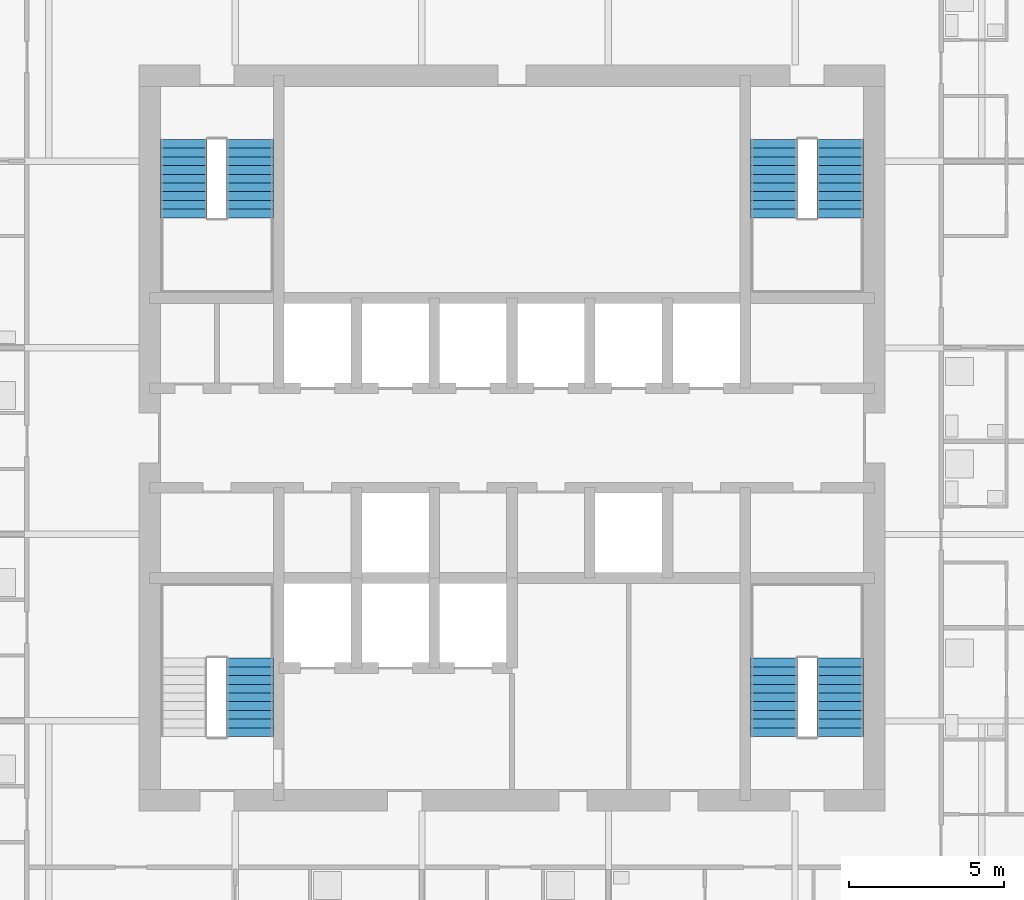
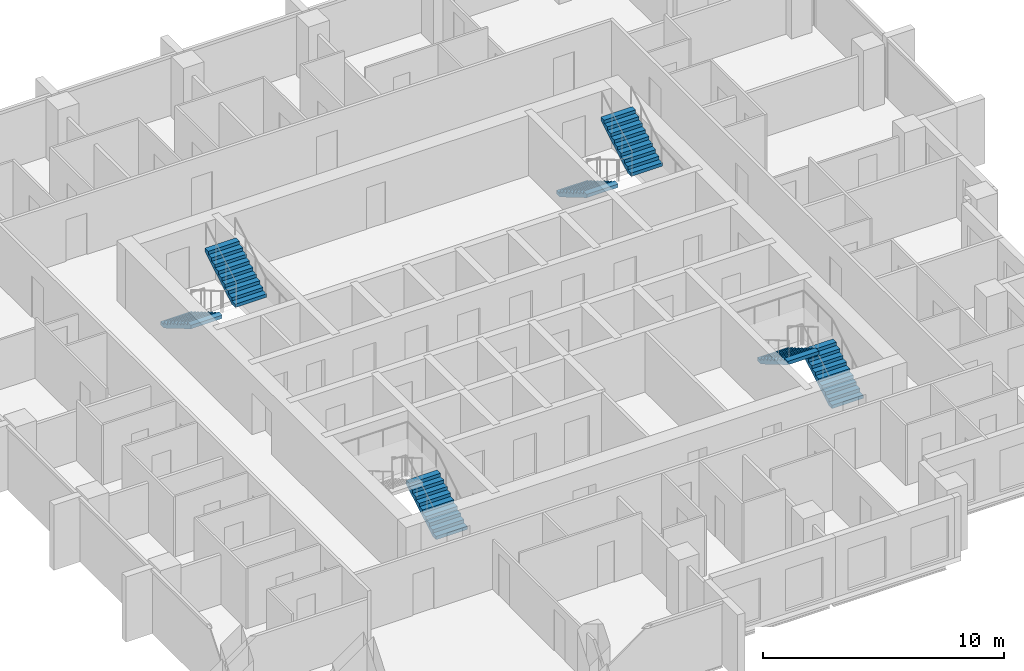
# One storey, part 9 of 11: 7 stair flights, 4 elements without a shape of their own.
"""IFC4 building model written with IfcOpenShell, lengths in metres."""

from ifc_helpers import new_model, si_unit, direction, frame, origin, place, context, subcontext, project, spatial, polyline, outline, extrude, material, type_object, element, aggregate, save


model = new_model("IFC4")

# Units and contexts
model_context = context("Model", 3, precision=1e-05, world=origin(), true_north=direction((0.0, 1.0)))
body_context = subcontext(model_context, "Body", "Model", "MODEL_VIEW")
ifc_project = project(units=[si_unit("LENGTHUNIT", "METRE"), si_unit("AREAUNIT", "SQUARE_METRE"), si_unit("VOLUMEUNIT", "CUBIC_METRE"), si_unit("PLANEANGLEUNIT", "RADIAN"), si_unit("MASSUNIT", "GRAM", prefix="KILO")], contexts=[model_context])

# Site, building, storey
site_placement = place(None, origin())
site = spatial("IfcSite", under=ifc_project, at=site_placement, CompositionType="ELEMENT")
building_placement = place(site_placement, origin())
building = spatial("IfcBuilding", under=site, at=building_placement, Name="Amberfall Residences", CompositionType="ELEMENT")
storey_placement = place(building_placement, frame((0.0, 0.0, 161.5)))
storey = spatial("IfcBuildingStorey", under=building, at=storey_placement, Name="L43", CompositionType="ELEMENT", Elevation=161.5)

# Stair, stair flight
ifc_material = material(Name="Concrete C40", Category="concrete")
stair_type = type_object("IfcStairType", Name="Exit stair 20 risers 165.0 mm", PredefinedType="HALF_TURN_STAIR", material=ifc_material)
stair_1_placement = place(storey_placement, origin())
stair_1 = element("IfcStair", 1, at=stair_1_placement, inside=storey, type_object=stair_type, Name="L43 Exit stair 1", PredefinedType="HALF_TURN_STAIR")
stair_flight_type = type_object("IfcStairFlightType", Name="Stair flight 10 risers 165.0 mm", PredefinedType="STRAIGHT", material=ifc_material)
stair_flight_1_placement = place(storey_placement, frame((66.074951171875, 35.89990234375, 0.0), z_axis=(0.0, 0.0, 1.0), x_axis=(0.0, 1.0, 0.0)))
stair_flight_1 = element("IfcStairFlight", 2, at=stair_flight_1_placement, type_object=stair_flight_type, Name="ST3 flight 1", NumberOfRisers=10, NumberOfTreads=9, PredefinedType="STRAIGHT", RiserHeight=0.165, TreadLength=0.28, context=body_context, shape_type="SweptSolid", body=[
    extrude(outline(polyline([(0.0, 0.0), (0.0, 0.1650390625), (0.280029296875, 0.1650390625), (0.280029296875, 0.330078125), (0.56005859375, 0.330078125), (0.56005859375, 0.4951171875), (0.840087890625, 0.4951171875), (0.840087890625, 0.659912109375), (1.1201171875, 0.659912109375), (1.1201171875, 0.824951171875), (1.39990234375, 0.824951171875), (1.39990234375, 0.989990234375), (1.679931640625, 0.989990234375), (1.679931640625, 1.155029296875), (1.9599609375, 1.155029296875), (1.9599609375, 1.320068359375), (2.239990234375, 1.320068359375), (2.239990234375, 1.485107421875), (2.52001953125, 1.485107421875), (2.52001953125, 1.64990234375), (2.52001953125, 1.31103515625), (0.295166015625, 0.0), (0.0, 0.0)])), frame((0.0, 0.75, 0.0), z_axis=(0.0, -1.0, 0.0), x_axis=(1.0, 0.0, 0.0)), (0.0, 0.0, 1.0), 1.5),
])
aggregate(stair_1, [stair_flight_1])

# Stair, stair flights
stair_2_placement = place(storey_placement, origin())
stair_2 = element("IfcStair", 3, at=stair_2_placement, inside=storey, type_object=stair_type, Name="L43 Exit stair 2", PredefinedType="HALF_TURN_STAIR")
stair_flight_2_placement = place(storey_placement, frame((85.050048828125, 35.89990234375, 0.0), z_axis=(0.0, 0.0, 1.0), x_axis=(0.0, 1.0, 0.0)))
stair_flight_2 = element("IfcStairFlight", 4, at=stair_flight_2_placement, type_object=stair_flight_type, Name="ST3 flight 1", NumberOfRisers=10, NumberOfTreads=9, PredefinedType="STRAIGHT", RiserHeight=0.165, TreadLength=0.28, context=body_context, shape_type="SweptSolid", body=[
    extrude(outline(polyline([(0.0, 0.0), (0.0, 0.1650390625), (0.280029296875, 0.1650390625), (0.280029296875, 0.330078125), (0.56005859375, 0.330078125), (0.56005859375, 0.4951171875), (0.840087890625, 0.4951171875), (0.840087890625, 0.659912109375), (1.1201171875, 0.659912109375), (1.1201171875, 0.824951171875), (1.39990234375, 0.824951171875), (1.39990234375, 0.989990234375), (1.679931640625, 0.989990234375), (1.679931640625, 1.155029296875), (1.9599609375, 1.155029296875), (1.9599609375, 1.320068359375), (2.239990234375, 1.320068359375), (2.239990234375, 1.485107421875), (2.52001953125, 1.485107421875), (2.52001953125, 1.64990234375), (2.52001953125, 1.31103515625), (0.295166015625, 0.0), (0.0, 0.0)])), frame((0.0, 0.75, 0.0), z_axis=(0.0, -1.0, 0.0), x_axis=(1.0, 0.0, 0.0)), (0.0, 0.0, 1.0), 1.5),
])
stair_flight_3_placement = place(storey_placement, frame((82.925048828125, 38.419921875, 1.64990234375), z_axis=(0.0, 0.0, 1.0), x_axis=(0.0, -1.0, 0.0)))
stair_flight_3 = element("IfcStairFlight", 5, at=stair_flight_3_placement, type_object=stair_flight_type, Name="ST3 flight 2", NumberOfRisers=10, NumberOfTreads=9, PredefinedType="STRAIGHT", RiserHeight=0.165, TreadLength=0.28, context=body_context, shape_type="SweptSolid", body=[
    extrude(outline(polyline([(0.0, 0.0), (0.0, 0.1650390625), (0.280029296875, 0.1650390625), (0.280029296875, 0.330078125), (0.56005859375, 0.330078125), (0.56005859375, 0.4951171875), (0.840087890625, 0.4951171875), (0.840087890625, 0.659912109375), (1.1201171875, 0.659912109375), (1.1201171875, 0.824951171875), (1.39990234375, 0.824951171875), (1.39990234375, 0.989990234375), (1.679931640625, 0.989990234375), (1.679931640625, 1.155029296875), (1.9599609375, 1.155029296875), (1.9599609375, 1.320068359375), (2.239990234375, 1.320068359375), (2.239990234375, 1.485107421875), (2.52001953125, 1.485107421875), (2.52001953125, 1.64990234375), (2.52001953125, 1.31103515625), (0.295166015625, 0.0), (0.0, 0.0)])), frame((0.0, 0.75, 0.0), z_axis=(0.0, -1.0, 0.0), x_axis=(1.0, 0.0, 0.0)), (0.0, 0.0, 1.0), 1.5),
])
aggregate(stair_2, [stair_flight_2, stair_flight_3])

stair_3_placement = place(storey_placement, origin())
stair_3 = element("IfcStair", 6, at=stair_3_placement, inside=storey, type_object=stair_type, Name="L43 Exit stair 3", PredefinedType="HALF_TURN_STAIR")
stair_flight_4_placement = place(storey_placement, frame((82.925048828125, 55.10009765625, 0.0), z_axis=(0.0, 0.0, 1.0), x_axis=(0.0, -1.0, 0.0)))
stair_flight_4 = element("IfcStairFlight", 7, at=stair_flight_4_placement, type_object=stair_flight_type, Name="ST3 flight 1", NumberOfRisers=10, NumberOfTreads=9, PredefinedType="STRAIGHT", RiserHeight=0.165, TreadLength=0.28, context=body_context, shape_type="SweptSolid", body=[
    extrude(outline(polyline([(0.0, 0.0), (0.0, 0.1650390625), (0.280029296875, 0.1650390625), (0.280029296875, 0.330078125), (0.56005859375, 0.330078125), (0.56005859375, 0.4951171875), (0.840087890625, 0.4951171875), (0.840087890625, 0.659912109375), (1.1201171875, 0.659912109375), (1.1201171875, 0.824951171875), (1.39990234375, 0.824951171875), (1.39990234375, 0.989990234375), (1.679931640625, 0.989990234375), (1.679931640625, 1.155029296875), (1.9599609375, 1.155029296875), (1.9599609375, 1.320068359375), (2.239990234375, 1.320068359375), (2.239990234375, 1.485107421875), (2.52001953125, 1.485107421875), (2.52001953125, 1.64990234375), (2.52001953125, 1.31103515625), (0.295166015625, 0.0), (0.0, 0.0)])), frame((0.0, 0.75, 0.0), z_axis=(0.0, -1.0, 0.0), x_axis=(1.0, 0.0, 0.0)), (0.0, 0.0, 1.0), 1.5),
])
stair_flight_5_placement = place(storey_placement, frame((85.050048828125, 52.580078125, 1.64990234375), z_axis=(0.0, 0.0, 1.0), x_axis=(0.0, 1.0, 0.0)))
stair_flight_5 = element("IfcStairFlight", 8, at=stair_flight_5_placement, type_object=stair_flight_type, Name="ST3 flight 2", NumberOfRisers=10, NumberOfTreads=9, PredefinedType="STRAIGHT", RiserHeight=0.165, TreadLength=0.28, context=body_context, shape_type="SweptSolid", body=[
    extrude(outline(polyline([(0.0, 0.0), (0.0, 0.1650390625), (0.280029296875, 0.1650390625), (0.280029296875, 0.330078125), (0.56005859375, 0.330078125), (0.56005859375, 0.4951171875), (0.840087890625, 0.4951171875), (0.840087890625, 0.659912109375), (1.1201171875, 0.659912109375), (1.1201171875, 0.824951171875), (1.39990234375, 0.824951171875), (1.39990234375, 0.989990234375), (1.679931640625, 0.989990234375), (1.679931640625, 1.155029296875), (1.9599609375, 1.155029296875), (1.9599609375, 1.320068359375), (2.239990234375, 1.320068359375), (2.239990234375, 1.485107421875), (2.52001953125, 1.485107421875), (2.52001953125, 1.64990234375), (2.52001953125, 1.31103515625), (0.295166015625, 0.0), (0.0, 0.0)])), frame((0.0, 0.75, 0.0), z_axis=(0.0, -1.0, 0.0), x_axis=(1.0, 0.0, 0.0)), (0.0, 0.0, 1.0), 1.5),
])
aggregate(stair_3, [stair_flight_4, stair_flight_5])

stair_4_placement = place(storey_placement, origin())
stair_4 = element("IfcStair", 9, at=stair_4_placement, inside=storey, type_object=stair_type, Name="L43 Exit stair 4", PredefinedType="HALF_TURN_STAIR")
stair_flight_6_placement = place(storey_placement, frame((63.949951171875, 55.10009765625, 0.0), z_axis=(0.0, 0.0, 1.0), x_axis=(0.0, -1.0, 0.0)))
stair_flight_6 = element("IfcStairFlight", 10, at=stair_flight_6_placement, type_object=stair_flight_type, Name="ST3 flight 1", NumberOfRisers=10, NumberOfTreads=9, PredefinedType="STRAIGHT", RiserHeight=0.165, TreadLength=0.28, context=body_context, shape_type="SweptSolid", body=[
    extrude(outline(polyline([(0.0, 0.0), (0.0, 0.1650390625), (0.280029296875, 0.1650390625), (0.280029296875, 0.330078125), (0.56005859375, 0.330078125), (0.56005859375, 0.4951171875), (0.840087890625, 0.4951171875), (0.840087890625, 0.659912109375), (1.1201171875, 0.659912109375), (1.1201171875, 0.824951171875), (1.39990234375, 0.824951171875), (1.39990234375, 0.989990234375), (1.679931640625, 0.989990234375), (1.679931640625, 1.155029296875), (1.9599609375, 1.155029296875), (1.9599609375, 1.320068359375), (2.239990234375, 1.320068359375), (2.239990234375, 1.485107421875), (2.52001953125, 1.485107421875), (2.52001953125, 1.64990234375), (2.52001953125, 1.31103515625), (0.295166015625, 0.0), (0.0, 0.0)])), frame((0.0, 0.75, 0.0), z_axis=(0.0, -1.0, 0.0), x_axis=(1.0, 0.0, 0.0)), (0.0, 0.0, 1.0), 1.5),
])
stair_flight_7_placement = place(storey_placement, frame((66.074951171875, 52.580078125, 1.64990234375), z_axis=(0.0, 0.0, 1.0), x_axis=(0.0, 1.0, 0.0)))
stair_flight_7 = element("IfcStairFlight", 11, at=stair_flight_7_placement, type_object=stair_flight_type, Name="ST3 flight 2", NumberOfRisers=10, NumberOfTreads=9, PredefinedType="STRAIGHT", RiserHeight=0.165, TreadLength=0.28, context=body_context, shape_type="SweptSolid", body=[
    extrude(outline(polyline([(0.0, 0.0), (0.0, 0.1650390625), (0.280029296875, 0.1650390625), (0.280029296875, 0.330078125), (0.56005859375, 0.330078125), (0.56005859375, 0.4951171875), (0.840087890625, 0.4951171875), (0.840087890625, 0.659912109375), (1.1201171875, 0.659912109375), (1.1201171875, 0.824951171875), (1.39990234375, 0.824951171875), (1.39990234375, 0.989990234375), (1.679931640625, 0.989990234375), (1.679931640625, 1.155029296875), (1.9599609375, 1.155029296875), (1.9599609375, 1.320068359375), (2.239990234375, 1.320068359375), (2.239990234375, 1.485107421875), (2.52001953125, 1.485107421875), (2.52001953125, 1.64990234375), (2.52001953125, 1.31103515625), (0.295166015625, 0.0), (0.0, 0.0)])), frame((0.0, 0.75, 0.0), z_axis=(0.0, -1.0, 0.0), x_axis=(1.0, 0.0, 0.0)), (0.0, 0.0, 1.0), 1.5),
])
aggregate(stair_4, [stair_flight_6, stair_flight_7])

save(model, "model.ifc")
